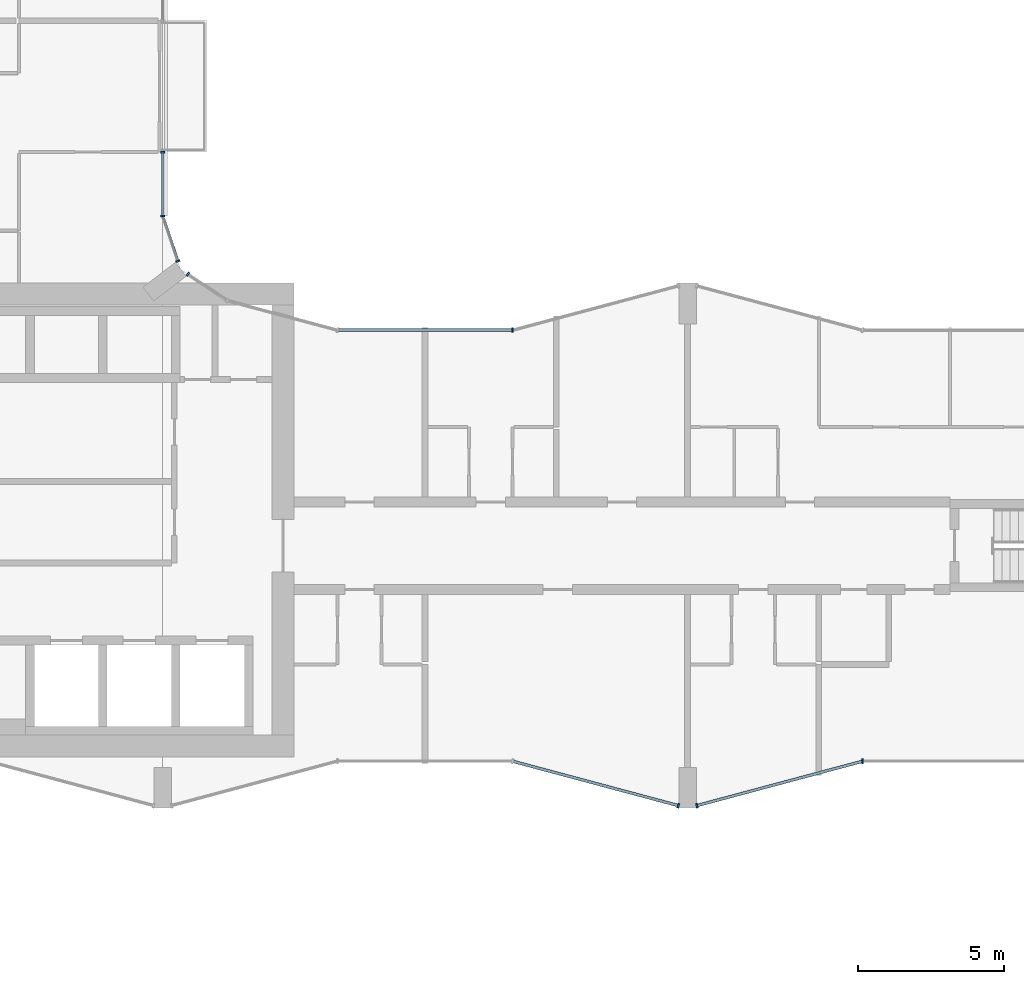
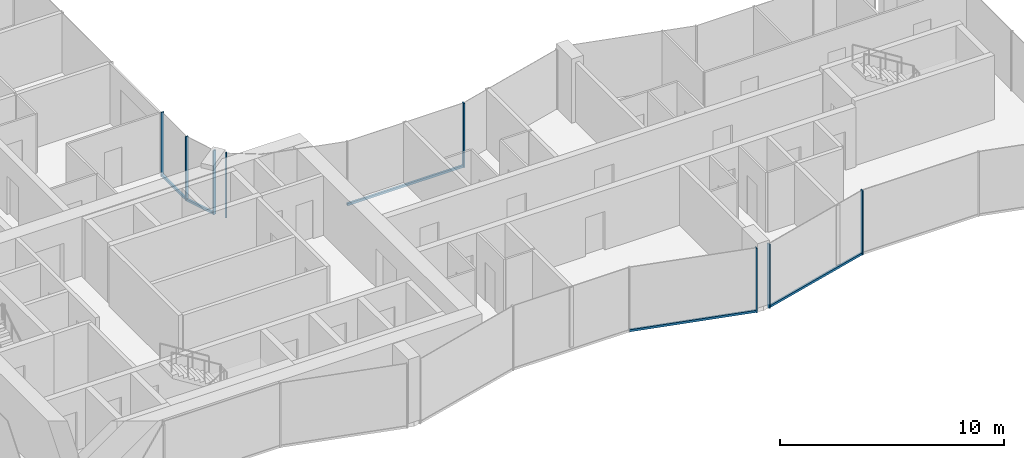
# One storey, part 4 of 22: 13 members, 7 elements without a shape of their own.
"""IFC4 building model written with IfcOpenShell, lengths in metres."""

import ifcopenshell
import ifcopenshell.guid

model = None  # the IFC model being written
_history = None  # IfcOwnerHistory: only IFC2X3 demands one
_inside = {}  # id of a spatial element -> (the spatial element, [elements in it])
_under = {}  # id of a project, library or spatial element -> (it, [spatial elements below it])
_declared = {}  # id of a project -> (the project, [libraries it declares])
_typed = {}  # id of a type object -> (the type object, [elements of that type])
_made_of = {}  # id of a material, layer set ... -> (it, [elements and type objects made of it])


def new_model(schema):
    """Start an empty IFC model of exactly this schema.

    Asked for "IFC4X3", IfcOpenShell would pick the latest addendum, in which some entities
    have other attributes; the version numbers below select the first issue.
    IFC2X3 requires an IfcOwnerHistory on every rooted entity: one is made here for all.
    """
    global model, _history
    if schema == "IFC4X3":
        model = ifcopenshell.file(schema_version=(4, 3, 0, 0))
    else:
        model = ifcopenshell.file(schema=schema)
    _inside.clear()
    _under.clear()
    _declared.clear()
    _typed.clear()
    _made_of.clear()
    _history = None
    if model.schema == "IFC2X3":
        org = make("IfcOrganization", Name="unknown")
        user = make(
            "IfcPersonAndOrganization",
            ThePerson=make("IfcPerson", FamilyName="unknown"),
            TheOrganization=org,
        )
        app = make(
            "IfcApplication",
            ApplicationDeveloper=org,
            Version="unknown",
            ApplicationFullName="unknown",
            ApplicationIdentifier="unknown",
        )
        _history = make(
            "IfcOwnerHistory",
            OwningUser=user,
            OwningApplication=app,
            ChangeAction="ADDED",
            CreationDate=0,
        )
    return model


def make(cls, **values):
    """One entity of the class cls with the attributes given. An attribute that is None is left unset."""
    return model.create_entity(
        cls, **{name: value for name, value in values.items() if value is not None}
    )


def rooted(cls, **values):
    """An entity with a GlobalId (a new one), such as an element, a storey or a relation."""
    return make(cls, GlobalId=ifcopenshell.guid.new(), OwnerHistory=_history, **values)


def si_unit(unit_type, name, prefix=None):
    """IfcSIUnit, for example si_unit("LENGTHUNIT", "METRE", prefix="MILLI")."""
    return make("IfcSIUnit", UnitType=unit_type, Prefix=prefix, Name=name)


def assignment(units):
    """IfcUnitAssignment: the units of a project."""
    return None if units is None else make("IfcUnitAssignment", Units=units)


def point(xyz):
    """IfcCartesianPoint."""
    return None if xyz is None else make("IfcCartesianPoint", Coordinates=xyz)


def direction(xyz):
    """IfcDirection."""
    return None if xyz is None else make("IfcDirection", DirectionRatios=xyz)


def frame(location, z_axis=None, x_axis=None):
    """IfcAxis2Placement3D, a coordinate frame: its origin and axes. An axis left out is left unset."""
    return make(
        "IfcAxis2Placement3D",
        Location=point(location),
        Axis=direction(z_axis),
        RefDirection=direction(x_axis),
    )


def frame_2d(location, x_axis=None):
    """IfcAxis2Placement2D, a coordinate frame in the plane: its origin and x axis."""
    return make(
        "IfcAxis2Placement2D", Location=point(location), RefDirection=direction(x_axis)
    )


def origin():
    """The frame at (0, 0, 0) with its axes left unset."""
    return frame((0.0, 0.0, 0.0))


def origin_2d():
    """The frame at (0, 0) in the plane with its x axis left unset."""
    return frame_2d((0.0, 0.0))


def place(relative_to, where):
    """IfcLocalPlacement: puts the frame where relative to a parent placement (None: the world)."""
    return make(
        "IfcLocalPlacement", PlacementRelTo=relative_to, RelativePlacement=where
    )


def context(
    kind, dimensions, precision=None, world=None, true_north=None, identifier=None
):
    """IfcGeometricRepresentationContext, for example the 3D "Model" context."""
    return make(
        "IfcGeometricRepresentationContext",
        ContextIdentifier=identifier,
        ContextType=kind,
        CoordinateSpaceDimension=dimensions,
        Precision=precision,
        WorldCoordinateSystem=world,
        TrueNorth=true_north,
    )


def subcontext(parent, identifier, kind, view, scale=None):
    """IfcGeometricRepresentationSubContext, for example "Body" below "Model"."""
    return make(
        "IfcGeometricRepresentationSubContext",
        ContextIdentifier=identifier,
        ContextType=kind,
        ParentContext=parent,
        TargetScale=scale,
        TargetView=view,
    )


def project(units=None, contexts=None):
    """IfcProject with its units and contexts."""
    return rooted(
        "IfcProject",
        Name="project",
        RepresentationContexts=contexts,
        UnitsInContext=assignment(units),
    )


def spatial(cls, under=None, at=None, **own):
    """A site, building, storey or space (cls), placed at a placement, below another one or the project."""
    s = rooted(cls, ObjectPlacement=at, **own)
    if under is not None:
        _under.setdefault(under.id(), (under, []))[1].append(s)
    return s


def profile(cls, at=None, kind="AREA", **sizes):
    """A parametric profile (cls). Its sizes go by their IFC names, for example OverallWidth=200.0."""
    return make(cls, ProfileType=kind, Position=at, **sizes)


def rectangle(**sizes):
    """IfcRectangleProfileDef."""
    return profile("IfcRectangleProfileDef", **sizes)


def extrude(swept, where, along, depth):
    """IfcExtrudedAreaSolid: the profile swept, set in the frame where, extruded along a direction by depth."""
    return make(
        "IfcExtrudedAreaSolid",
        SweptArea=swept,
        Position=where,
        ExtrudedDirection=direction(along),
        Depth=depth,
    )


def shape(context_of_items, identifier, shape_type, items):
    """IfcShapeRepresentation: the items that make up one representation, for example the "Body"."""
    return make(
        "IfcShapeRepresentation",
        ContextOfItems=context_of_items,
        RepresentationIdentifier=identifier,
        RepresentationType=shape_type,
        Items=items,
    )


def material(Name=None, Category=None):
    """IfcMaterial."""
    return make("IfcMaterial", Name=Name, Category=Category)


def layer(
    of_material, thickness, ventilated=None, Name=None, Category=None, Priority=None
):
    """IfcMaterialLayer: one layer of a wall or slab, of a material (None: an air gap)."""
    return make(
        "IfcMaterialLayer",
        Material=of_material,
        LayerThickness=thickness,
        IsVentilated=ventilated,
        Name=Name,
        Category=Category,
        Priority=Priority,
    )


def layer_set(layers, Name=None):
    """IfcMaterialLayerSet."""
    return make("IfcMaterialLayerSet", MaterialLayers=layers, LayerSetName=Name)


def material_profile(
    of_material, cross_section, Name=None, Category=None, Priority=None
):
    """IfcMaterialProfile: a cross section and its material."""
    return make(
        "IfcMaterialProfile",
        Name=Name,
        Material=of_material,
        Profile=cross_section,
        Priority=Priority,
        Category=Category,
    )


def profile_set(profiles, Name=None, composite=None):
    """IfcMaterialProfileSet."""
    return make(
        "IfcMaterialProfileSet",
        Name=Name,
        MaterialProfiles=profiles,
        CompositeProfile=composite,
    )


def made_of(thing, what):
    """Note that an element or type object is made of a material, layer set ...; save() writes the relation."""
    if what is not None:
        _made_of.setdefault(what.id(), (what, []))[1].append(thing)
    return thing


def type_object(cls, material=None, **own):
    """A type object (cls), such as IfcWallType, which elements share."""
    return made_of(rooted(cls, **own), material)


def element(
    cls,
    number,
    at=None,
    inside=None,
    cuts=None,
    type_object=None,
    material=None,
    context=None,
    identifier="Body",
    shape_type=None,
    held_by="IfcProductDefinitionShape",
    body=None,
    shapes=None,
    **own,
):
    """One element of the class cls, such as IfcWall. Its Tag is "e" and its number.

    at: its placement. inside: the storey or other place that contains it. cuts: it is an
    opening in that element (IfcRelVoidsElement). A single representation is given by context,
    identifier, shape_type and body (its items); several are given by shapes. held_by: the class
    of the entity that holds the representations. save() writes the other relations.
    """
    e = rooted(cls, Tag="e%d" % number, ObjectPlacement=at, **own)
    if body is not None:
        shapes = [shape(context, identifier, shape_type, body)]
    if shapes is not None:
        e.Representation = make(held_by, Representations=shapes)
    if inside is not None:
        _inside.setdefault(inside.id(), (inside, []))[1].append(e)
    if cuts is not None:
        rooted(
            "IfcRelVoidsElement", RelatingBuildingElement=cuts, RelatedOpeningElement=e
        )
    if type_object is not None:
        _typed.setdefault(type_object.id(), (type_object, []))[1].append(e)
    return made_of(e, material)


def aggregate(whole, parts):
    """IfcRelAggregates: a whole, such as a stair, and the parts it consists of."""
    return rooted("IfcRelAggregates", RelatingObject=whole, RelatedObjects=parts)


def save(model, path):
    """Write the relations noted so far, then the file.

    IfcRelAggregates (storeys below a building ...), IfcRelContainedInSpatialStructure (elements
    in a storey), IfcRelDefinesByType, IfcRelAssociatesMaterial and IfcRelDeclares: one each for
    every whole, place, type object, material and project.
    """
    for whole, parts in _under.values():
        aggregate(whole, parts)
    for where, things in _inside.values():
        rooted(
            "IfcRelContainedInSpatialStructure",
            RelatedElements=things,
            RelatingStructure=where,
        )
    for kind, things in _typed.values():
        rooted("IfcRelDefinesByType", RelatedObjects=things, RelatingType=kind)
    for what, things in _made_of.values():
        rooted("IfcRelAssociatesMaterial", RelatedObjects=things, RelatingMaterial=what)
    for by, libraries in _declared.values():
        rooted("IfcRelDeclares", RelatingContext=by, RelatedDefinitions=libraries)
    model.write(path)


model = new_model("IFC4")

# Units and contexts
model_context = context("Model", 3, precision=1e-05, world=origin(), true_north=direction((0.0, 1.0)))
body_context = subcontext(model_context, "Body", "Model", "MODEL_VIEW")
ifc_project = project(units=[si_unit("LENGTHUNIT", "METRE"), si_unit("AREAUNIT", "SQUARE_METRE"), si_unit("VOLUMEUNIT", "CUBIC_METRE"), si_unit("PLANEANGLEUNIT", "RADIAN"), si_unit("MASSUNIT", "GRAM", prefix="KILO")], contexts=[model_context])

# Site, building, storey
site_placement = place(None, origin())
site = spatial("IfcSite", under=ifc_project, at=site_placement, CompositionType="ELEMENT")
building_placement = place(site_placement, origin())
building = spatial("IfcBuilding", under=site, at=building_placement, Name="Plateau Cross Towers", CompositionType="ELEMENT")
storey_placement = place(building_placement, frame((0.0, 0.0, 58.300048828125)))
storey = spatial("IfcBuildingStorey", under=building, at=storey_placement, Name="L14", CompositionType="ELEMENT", Elevation=58.300048828125)

# Curtain wall, member
ifc_material_1 = material(Name="Dark low-iron glass", Category="glass")
ifc_layer_1 = layer(ifc_material_1, 0.239990234375)
ifc_layer_set_1 = layer_set([ifc_layer_1], Name="Dark low-iron glass")
curtain_wall_type_1 = type_object("IfcCurtainWallType", Name="Curtain wall flush unitised CW-B", PredefinedType="NOTDEFINED", material=ifc_layer_set_1)
curtain_wall_1_placement = place(storey_placement, origin())
curtain_wall_1 = element("IfcCurtainWall", 1, at=curtain_wall_1_placement, inside=storey, type_object=curtain_wall_type_1, Name="ENV/A/L14/A202_174", PredefinedType="NOTDEFINED")
ifc_material_2 = material(Name="Black anodised aluminium", Category="aluminium")
ifc_material_profile_1 = material_profile(ifc_material_2, rectangle(XDim=0.06005859375, YDim=0.139892578125, at=origin_2d()), Name="MULLION 60x140")
ifc_profile_set_1 = profile_set([ifc_material_profile_1], Name="Black anodised aluminium")
member_type_1 = type_object("IfcMemberType", Name="Mullion 60x140 flush unitised", PredefinedType="MULLION", material=ifc_profile_set_1)
member_1_placement = place(storey_placement, frame((18.86962890625, 18.30908203125, -0.25), z_axis=(0.0, 0.0, 1.0), x_axis=(-0.831521253329, 0.555492938984, 0.0)))
member_1 = element("IfcMember", 2, at=member_1_placement, type_object=member_type_1, Name="CW-B mullion 2", PredefinedType="MULLION", context=body_context, shape_type="SweptSolid", body=[
    extrude(rectangle(XDim=0.06005859375, YDim=0.139892578125, at=origin_2d()), origin(), (0.0, 0.0, 1.0), 3.5),
])
aggregate(curtain_wall_1, [member_1])

curtain_wall_2_placement = place(storey_placement, origin())
curtain_wall_2 = element("IfcCurtainWall", 3, at=curtain_wall_2_placement, inside=storey, type_object=curtain_wall_type_1, Name="ENV/A/L14/A185_188", PredefinedType="NOTDEFINED")
member_2_placement = place(storey_placement, frame((18.523681640625, 18.760009765625, -0.25), z_axis=(0.0, 0.0, 1.0), x_axis=(-0.321469161574, 0.94692004845, 0.0)))
member_2 = element("IfcMember", 4, at=member_2_placement, type_object=member_type_1, Name="CW-B mullion 1", PredefinedType="MULLION", context=body_context, shape_type="SweptSolid", body=[
    extrude(rectangle(XDim=0.06005859375, YDim=0.139892578125, at=origin_2d()), origin(), (0.0, 0.0, 1.0), 3.5),
])

# Curtain wall, members
curtain_wall_3_placement = place(storey_placement, origin())
curtain_wall_3 = element("IfcCurtainWall", 5, at=curtain_wall_3_placement, inside=storey, type_object=curtain_wall_type_1, Name="ENV/A/L14/A180_203", PredefinedType="NOTDEFINED")
member_3_placement = place(storey_placement, frame((18.0, 20.30224609375, -0.25), z_axis=(0.0, 0.0, 1.0), x_axis=(0.0, 1.0, 0.0)))
member_3 = element("IfcMember", 6, at=member_3_placement, type_object=member_type_1, Name="CW-B mullion 1", PredefinedType="MULLION", context=body_context, shape_type="SweptSolid", body=[
    extrude(rectangle(XDim=0.06005859375, YDim=0.139892578125, at=origin_2d()), origin(), (0.0, 0.0, 1.0), 3.5),
])
member_4_placement = place(storey_placement, frame((18.0, 22.489990234375, -0.25), z_axis=(0.0, 0.0, 1.0), x_axis=(0.0, 1.0, 0.0)))
member_4 = element("IfcMember", 7, at=member_4_placement, type_object=member_type_1, Name="CW-B mullion 2", PredefinedType="MULLION", context=body_context, shape_type="SweptSolid", body=[
    extrude(rectangle(XDim=0.06005859375, YDim=0.139892578125, at=origin_2d()), origin(), (0.0, 0.0, 1.0), 3.5),
])

# Curtain wall, member
ifc_layer_2 = layer(ifc_material_1, 0.260009765625)
ifc_layer_set_2 = layer_set([ifc_layer_2], Name="Dark low-iron glass")
curtain_wall_type_2 = type_object("IfcCurtainWallType", Name="Curtain wall fluted unitised CW-A", PredefinedType="NOTDEFINED", material=ifc_layer_set_2)
curtain_wall_4_placement = place(storey_placement, origin())
curtain_wall_4 = element("IfcCurtainWall", 8, at=curtain_wall_4_placement, inside=storey, type_object=curtain_wall_type_2, Name="ENV/A/L14/A300_16", PredefinedType="NOTDEFINED")
ifc_material_profile_2 = material_profile(ifc_material_2, rectangle(XDim=0.06005859375, YDim=0.159912109375, at=origin_2d()), Name="MULLION 60x160")
ifc_profile_set_2 = profile_set([ifc_material_profile_2], Name="Black anodised aluminium")
member_type_2 = type_object("IfcMemberType", Name="Mullion 60x160 fluted unitised", PredefinedType="MULLION", material=ifc_profile_set_2)
member_5_placement = place(storey_placement, frame((35.68212890625, 0.085205078125, -0.25), z_axis=(0.0, 0.0, 1.0), x_axis=(0.965957983404, -0.258699003279, 0.0)))
member_5 = element("IfcMember", 9, at=member_5_placement, type_object=member_type_2, Name="CW-A mullion 2", PredefinedType="MULLION", context=body_context, shape_type="SweptSolid", body=[
    extrude(rectangle(XDim=0.06005859375, YDim=0.159912109375, at=origin_2d()), origin(), (0.0, 0.0, 1.0), 3.5),
])

curtain_wall_5_placement = place(storey_placement, origin())
curtain_wall_5 = element("IfcCurtainWall", 10, at=curtain_wall_5_placement, inside=storey, type_object=curtain_wall_type_2, Name="ENV/A/L14/A363_1", PredefinedType="NOTDEFINED")
member_6_placement = place(storey_placement, frame((36.31787109375, 0.085205078125, -0.25), z_axis=(0.0, 0.0, 1.0), x_axis=(0.965957983404, 0.258699003279, 0.0)))
member_6 = element("IfcMember", 11, at=member_6_placement, type_object=member_type_2, Name="CW-A mullion 1", PredefinedType="MULLION", context=body_context, shape_type="SweptSolid", body=[
    extrude(rectangle(XDim=0.06005859375, YDim=0.159912109375, at=origin_2d()), origin(), (0.0, 0.0, 1.0), 3.5),
])

curtain_wall_6_placement = place(storey_placement, origin())
curtain_wall_6 = element("IfcCurtainWall", 12, at=curtain_wall_6_placement, inside=storey, type_object=curtain_wall_type_2, Name="ENV/A/L14/A420_16", PredefinedType="NOTDEFINED")
member_7_placement = place(storey_placement, frame((42.0, 1.60693359375, -0.25), z_axis=(0.0, 0.0, 1.0), x_axis=(1.0, 0.0, 0.0)))
member_7 = element("IfcMember", 13, at=member_7_placement, type_object=member_type_2, Name="CW-A mullion 1", PredefinedType="MULLION", context=body_context, shape_type="SweptSolid", body=[
    extrude(rectangle(XDim=0.06005859375, YDim=0.159912109375, at=origin_2d()), origin(), (0.0, 0.0, 1.0), 3.5),
])
aggregate(curtain_wall_6, [member_7])

curtain_wall_7_placement = place(storey_placement, origin())
curtain_wall_7 = element("IfcCurtainWall", 14, at=curtain_wall_7_placement, inside=storey, type_object=curtain_wall_type_2, Name="ENV/A/L14/A300_164", PredefinedType="NOTDEFINED")
member_8_placement = place(storey_placement, frame((30.0, 16.39306640625, -0.25), z_axis=(0.0, 0.0, 1.0), x_axis=(-1.0, 0.0, 0.0)))
member_8 = element("IfcMember", 15, at=member_8_placement, type_object=member_type_2, Name="CW-A mullion 1", PredefinedType="MULLION", context=body_context, shape_type="SweptSolid", body=[
    extrude(rectangle(XDim=0.06005859375, YDim=0.159912109375, at=origin_2d()), origin(), (0.0, 0.0, 1.0), 3.5),
])

# Member
ifc_material_profile_3 = material_profile(ifc_material_2, rectangle(XDim=0.10009765625, YDim=0.1201171875, at=origin_2d()), Name="TRANSOM 100x120")
ifc_profile_set_3 = profile_set([ifc_material_profile_3], Name="Black anodised aluminium")
member_type_3 = type_object("IfcMemberType", Name="Transom 100x120 flush unitised", PredefinedType="USERDEFINED", material=ifc_profile_set_3)
member_9_placement = place(storey_placement, frame((18.523681640625, 18.760009765625, -0.18994140625), z_axis=(-0.321529174838, 0.946899672472, 0.0), x_axis=(-0.946899672472, -0.321529174838, 0.0)))
member_9 = element("IfcMember", 16, at=member_9_placement, type_object=member_type_3, Name="CW-B transom", ObjectType="TRANSOM", PredefinedType="USERDEFINED", context=body_context, shape_type="SweptSolid", body=[
    extrude(rectangle(XDim=0.10009765625, YDim=0.1201171875, at=origin_2d()), origin(), (0.0, 0.0, 1.0), 1.628662109375),
])

aggregate(curtain_wall_2, [member_2, member_9])

member_10_placement = place(storey_placement, frame((18.0, 20.30224609375, -0.18994140625), z_axis=(0.0, 1.0, 0.0), x_axis=(-1.0, 0.0, 0.0)))
member_10 = element("IfcMember", 17, at=member_10_placement, type_object=member_type_3, Name="CW-B transom", ObjectType="TRANSOM", PredefinedType="USERDEFINED", context=body_context, shape_type="SweptSolid", body=[
    extrude(rectangle(XDim=0.10009765625, YDim=0.1201171875, at=origin_2d()), origin(), (0.0, 0.0, 1.0), 2.187744140625),
])

aggregate(curtain_wall_3, [member_3, member_4, member_10])

ifc_material_profile_4 = material_profile(ifc_material_2, rectangle(XDim=0.10009765625, YDim=0.1201171875, at=origin_2d()), Name="TRANSOM 100x120")
ifc_profile_set_4 = profile_set([ifc_material_profile_4], Name="Black anodised aluminium")
member_type_4 = type_object("IfcMemberType", Name="Transom 100x120 fluted unitised", PredefinedType="USERDEFINED", material=ifc_profile_set_4)
member_11_placement = place(storey_placement, frame((30.0, 1.60693359375, -0.18994140625), z_axis=(0.965959534794, -0.258693210465, 0.0), x_axis=(0.258693210465, 0.965959534794, 0.0)))
member_11 = element("IfcMember", 18, at=member_11_placement, type_object=member_type_4, Name="CW-A transom", ObjectType="TRANSOM", PredefinedType="USERDEFINED", context=body_context, shape_type="SweptSolid", body=[
    extrude(rectangle(XDim=0.10009765625, YDim=0.1201171875, at=origin_2d()), origin(), (0.0, 0.0, 1.0), 5.88232421875),
])

aggregate(curtain_wall_4, [member_5, member_11])

member_12_placement = place(storey_placement, frame((36.31787109375, 0.085205078125, -0.18994140625), z_axis=(0.965959534794, 0.258693210465, 0.0), x_axis=(-0.258693210465, 0.965959534794, 0.0)))
member_12 = element("IfcMember", 19, at=member_12_placement, type_object=member_type_4, Name="CW-A transom", ObjectType="TRANSOM", PredefinedType="USERDEFINED", context=body_context, shape_type="SweptSolid", body=[
    extrude(rectangle(XDim=0.10009765625, YDim=0.1201171875, at=origin_2d()), origin(), (0.0, 0.0, 1.0), 5.88232421875),
])

aggregate(curtain_wall_5, [member_6, member_12])

member_13_placement = place(storey_placement, frame((30.0, 16.39306640625, -0.18994140625), z_axis=(-1.0, 0.0, 0.0), x_axis=(0.0, -1.0, 0.0)))
member_13 = element("IfcMember", 20, at=member_13_placement, type_object=member_type_4, Name="CW-A transom", ObjectType="TRANSOM", PredefinedType="USERDEFINED", context=body_context, shape_type="SweptSolid", body=[
    extrude(rectangle(XDim=0.10009765625, YDim=0.1201171875, at=origin_2d()), origin(), (0.0, 0.0, 1.0), 6.0),
])

aggregate(curtain_wall_7, [member_8, member_13])

save(model, "model.ifc")
